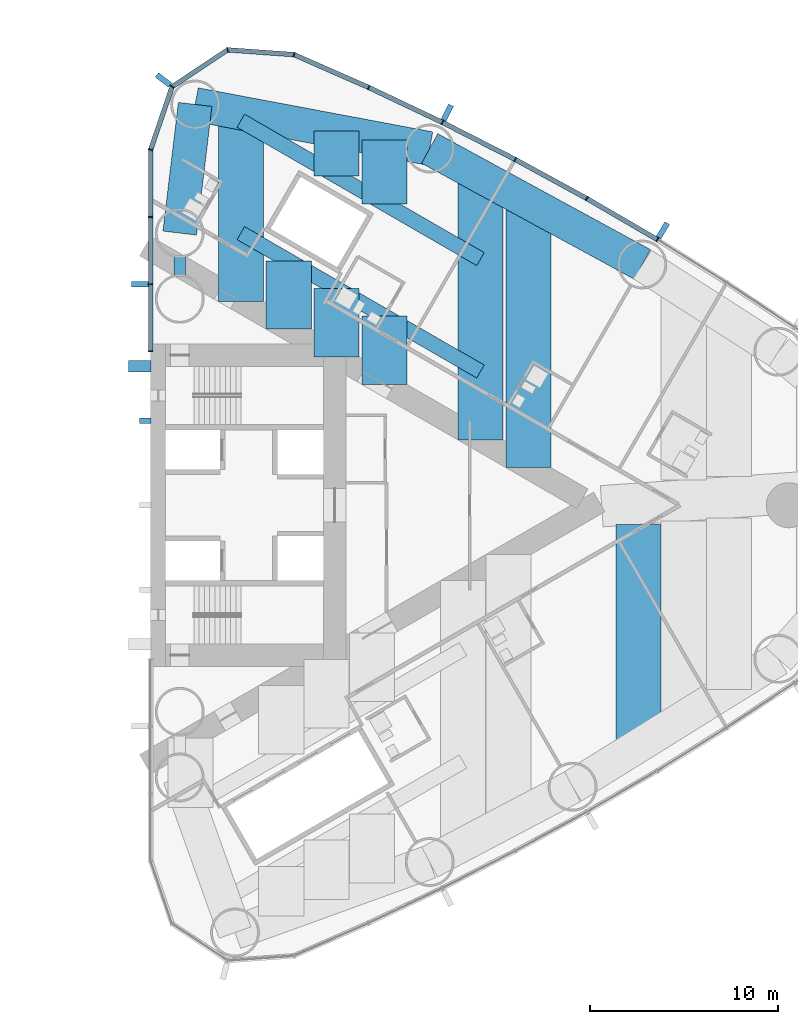
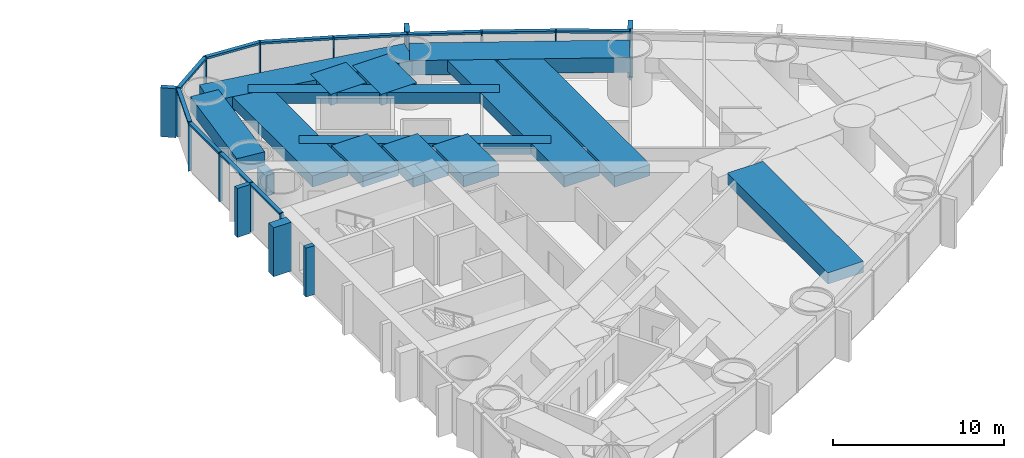
# One storey, part 7 of 18: 29 members, 15 beams, 1 element without a shape of its own.
"""IFC4 building model written with IfcOpenShell, lengths in metres."""

from ifc_helpers import new_model, si_unit, direction, frame, origin, origin_2d, place, context, subcontext, project, spatial, rectangle, hollow_rectangle, extrude, material, material_profile, profile_set, type_object, element, aggregate, save


model = new_model("IFC4")

# Units and contexts
model_context = context("Model", 3, precision=1e-05, world=origin(), true_north=direction((0.0, 1.0)))
body_context = subcontext(model_context, "Body", "Model", "MODEL_VIEW")
ifc_project = project(units=[si_unit("LENGTHUNIT", "METRE"), si_unit("AREAUNIT", "SQUARE_METRE"), si_unit("VOLUMEUNIT", "CUBIC_METRE"), si_unit("PLANEANGLEUNIT", "RADIAN"), si_unit("MASSUNIT", "GRAM", prefix="KILO")], contexts=[model_context])

# Site, building, storey
site_placement = place(None, origin())
site = spatial("IfcSite", under=ifc_project, at=site_placement, CompositionType="ELEMENT")
building_placement = place(site_placement, origin())
building = spatial("IfcBuilding", under=site, at=building_placement, Name="Lancet Gate Hotel", CompositionType="ELEMENT")
storey_placement = place(building_placement, frame((0.0, 0.0, 136.10009765625)))
storey = spatial("IfcBuildingStorey", under=building, at=storey_placement, Name="L36", CompositionType="ELEMENT", Elevation=136.10009765625)

# Curtain wall, members
ifc_material_1 = material(Name="Aluminium curtain wall", Category="aluminium")
curtain_wall_type = type_object("IfcCurtainWallType", Name="Tower unitised curtain wall", PredefinedType="USERDEFINED", material=ifc_material_1)
curtain_wall_placement = place(storey_placement, origin())
curtain_wall = element("IfcCurtainWall", 1, at=curtain_wall_placement, inside=storey, type_object=curtain_wall_type, Name="T2 L36 curtain wall 1", ObjectType="UNITISED CURTAIN WALL", PredefinedType="USERDEFINED")
ifc_material_2 = material(Name="Aluminium mullion", Category="aluminium")
ifc_material_profile_1 = material_profile(ifc_material_2, rectangle(XDim=0.06494140625, YDim=0.25, at=origin_2d()), Name="MULLION 65x250")
ifc_profile_set_1 = profile_set([ifc_material_profile_1], Name="Aluminium mullion")
member_type_1 = type_object("IfcMemberType", Name="Aluminium mullion 65x250", PredefinedType="MULLION", material=ifc_profile_set_1)
member_1_placement = place(storey_placement, frame((54.496337890625, 14.1552734375, 0.0), z_axis=(0.0, 0.0, 1.0), x_axis=(-0.856728030701, 0.515768437781, 0.0)))
member_1 = element("IfcMember", 2, at=member_1_placement, type_object=member_type_1, Name="T2 L36 curtain wall 1 mullion 23", PredefinedType="MULLION", context=body_context, shape_type="SweptSolid", body=[
    extrude(rectangle(XDim=0.06494140625, YDim=0.25, at=origin_2d()), origin(), (0.0, 0.0, 1.0), 3.5),
])
member_2_placement = place(storey_placement, frame((50.740478515625, 16.344482421875, 0.0), z_axis=(0.0, 0.0, 1.0), x_axis=(-0.871028838445, 0.491231882716, 0.0)))
member_2 = element("IfcMember", 3, at=member_2_placement, type_object=member_type_1, Name="T2 L36 curtain wall 1 mullion 24", PredefinedType="MULLION", context=body_context, shape_type="SweptSolid", body=[
    extrude(rectangle(XDim=0.06494140625, YDim=0.25, at=origin_2d()), origin(), (0.0, 0.0, 1.0), 3.5),
])
member_3_placement = place(storey_placement, frame((46.923828125, 18.426025390625, 0.0), z_axis=(0.0, 0.0, 1.0), x_axis=(-0.884627112962, 0.466299121822, 0.0)))
member_3 = element("IfcMember", 4, at=member_3_placement, type_object=member_type_1, Name="T2 L36 curtain wall 1 mullion 25", PredefinedType="MULLION", context=body_context, shape_type="SweptSolid", body=[
    extrude(rectangle(XDim=0.06494140625, YDim=0.25, at=origin_2d()), origin(), (0.0, 0.0, 1.0), 3.5),
])
member_4_placement = place(storey_placement, frame((43.0498046875, 20.398193359375, 0.0), z_axis=(0.0, 0.0, 1.0), x_axis=(-0.897511886496, 0.440990264743, 0.0)))
member_4 = element("IfcMember", 5, at=member_4_placement, type_object=member_type_1, Name="T2 L36 curtain wall 1 mullion 26", PredefinedType="MULLION", context=body_context, shape_type="SweptSolid", body=[
    extrude(rectangle(XDim=0.06494140625, YDim=0.25, at=origin_2d()), origin(), (0.0, 0.0, 1.0), 3.5),
])
member_5_placement = place(storey_placement, frame((39.12109375, 22.259765625, 0.0), z_axis=(0.0, 0.0, 1.0), x_axis=(-0.909672766767, 0.415325724465, 0.0)))
member_5 = element("IfcMember", 6, at=member_5_placement, type_object=member_type_1, Name="T2 L36 curtain wall 1 mullion 27", PredefinedType="MULLION", context=body_context, shape_type="SweptSolid", body=[
    extrude(rectangle(XDim=0.06494140625, YDim=0.25, at=origin_2d()), origin(), (0.0, 0.0, 1.0), 3.5),
])
member_6_placement = place(storey_placement, frame((35.141357421875, 24.009033203125, 0.0), z_axis=(0.0, 0.0, 1.0), x_axis=(-0.966317378791, 0.257353304711, 0.0)))
member_6 = element("IfcMember", 7, at=member_6_placement, type_object=member_type_1, Name="T2 L36 curtain wall 1 mullion 28", PredefinedType="MULLION", context=body_context, shape_type="SweptSolid", body=[
    extrude(rectangle(XDim=0.06494140625, YDim=0.25, at=origin_2d()), origin(), (0.0, 0.0, 1.0), 3.5),
])
member_7_placement = place(storey_placement, frame((31.60205078125, 24.26220703125, 0.0), z_axis=(0.0, 0.0, 1.0), x_axis=(-0.967157174963, -0.254179068604, 0.0)))
member_7 = element("IfcMember", 8, at=member_7_placement, type_object=member_type_1, Name="T2 L36 curtain wall 1 mullion 29", PredefinedType="MULLION", context=body_context, shape_type="SweptSolid", body=[
    extrude(rectangle(XDim=0.06494140625, YDim=0.25, at=origin_2d()), origin(), (0.0, 0.0, 1.0), 3.5),
])
member_8_placement = place(storey_placement, frame((28.64453125, 22.301513671875, 0.0), z_axis=(0.0, 0.0, 1.0), x_axis=(-0.610663954798, -0.79188984986, 0.0)))
member_8 = element("IfcMember", 9, at=member_8_placement, type_object=member_type_1, Name="T2 L36 curtain wall 1 mullion 30", PredefinedType="MULLION", context=body_context, shape_type="SweptSolid", body=[
    extrude(rectangle(XDim=0.06494140625, YDim=0.25, at=origin_2d()), origin(), (0.0, 0.0, 1.0), 3.5),
])
member_9_placement = place(storey_placement, frame((27.5, 18.94287109375, 0.0), z_axis=(0.0, 0.0, 1.0), x_axis=(-0.162738742557, -0.986669195663, 0.0)))
member_9 = element("IfcMember", 10, at=member_9_placement, type_object=member_type_1, Name="T2 L36 curtain wall 1 mullion 31", PredefinedType="MULLION", context=body_context, shape_type="SweptSolid", body=[
    extrude(rectangle(XDim=0.06494140625, YDim=0.25, at=origin_2d()), origin(), (0.0, 0.0, 1.0), 3.5),
])
member_10_placement = place(storey_placement, frame((27.5, 15.362060546875, 0.0), z_axis=(0.0, 0.0, 1.0), x_axis=(0.0, -1.0, 0.0)))
member_10 = element("IfcMember", 11, at=member_10_placement, type_object=member_type_1, Name="T2 L36 curtain wall 1 mullion 32", PredefinedType="MULLION", context=body_context, shape_type="SweptSolid", body=[
    extrude(rectangle(XDim=0.06494140625, YDim=0.25, at=origin_2d()), origin(), (0.0, 0.0, 1.0), 3.5),
])
member_11_placement = place(storey_placement, frame((27.5, 11.781005859375, 0.0), z_axis=(0.0, 0.0, 1.0), x_axis=(0.0, -1.0, 0.0)))
member_11 = element("IfcMember", 12, at=member_11_placement, type_object=member_type_1, Name="T2 L36 curtain wall 1 mullion 33", PredefinedType="MULLION", context=body_context, shape_type="SweptSolid", body=[
    extrude(rectangle(XDim=0.06494140625, YDim=0.25, at=origin_2d()), origin(), (0.0, 0.0, 1.0), 3.5),
])
member_12_placement = place(storey_placement, frame((27.5, 8.199951171875, 0.0), z_axis=(0.0, 0.0, 1.0), x_axis=(0.0, -1.0, 0.0)))
member_12 = element("IfcMember", 13, at=member_12_placement, type_object=member_type_1, Name="T2 L36 curtain wall 1 mullion 34", PredefinedType="MULLION", context=body_context, shape_type="SweptSolid", body=[
    extrude(rectangle(XDim=0.06494140625, YDim=0.25, at=origin_2d()), origin(), (0.0, 0.0, 1.0), 3.5),
])
ifc_material_3 = material(Name="Aluminium transom", Category="aluminium")
ifc_material_profile_2 = material_profile(ifc_material_3, rectangle(XDim=0.25, YDim=0.14990234375, at=origin_2d()), Name="TRANSOM 250x150")
ifc_profile_set_2 = profile_set([ifc_material_profile_2], Name="Aluminium transom")
member_type_2 = type_object("IfcMemberType", Name="Aluminium transom 250x150", PredefinedType="USERDEFINED", material=ifc_profile_set_2)
member_13_placement = place(storey_placement, frame((54.46826171875, 14.171630859375, 3.4248046875), z_axis=(-0.863973212152, 0.503537772847, 0.0), x_axis=(-0.503537772847, -0.863973212152, 0.0)))
member_13 = element("IfcMember", 14, at=member_13_placement, type_object=member_type_2, Name="T2 L36 curtain wall 1 transom 23", ObjectType="TRANSOM", PredefinedType="USERDEFINED", context=body_context, shape_type="SweptSolid", body=[
    extrude(rectangle(XDim=0.25, YDim=0.14990234375, at=origin_2d()), origin(), (0.0, 0.0, 1.0), 4.2822265625),
])
member_14_placement = place(storey_placement, frame((50.7119140625, 16.35986328125, 3.4248046875), z_axis=(-0.877906466435, 0.478832158685, 0.0), x_axis=(-0.478832158685, -0.877906466435, 0.0)))
member_14 = element("IfcMember", 15, at=member_14_placement, type_object=member_type_2, Name="T2 L36 curtain wall 1 transom 24", ObjectType="TRANSOM", PredefinedType="USERDEFINED", context=body_context, shape_type="SweptSolid", body=[
    extrude(rectangle(XDim=0.25, YDim=0.14990234375, at=origin_2d()), origin(), (0.0, 0.0, 1.0), 4.282470703125),
])
member_15_placement = place(storey_placement, frame((46.89501953125, 18.440673828125, 3.4248046875), z_axis=(-0.891165630033, 0.453678101574, 0.0), x_axis=(-0.453678101574, -0.891165630033, 0.0)))
member_15 = element("IfcMember", 16, at=member_15_placement, type_object=member_type_2, Name="T2 L36 curtain wall 1 transom 25", ObjectType="TRANSOM", PredefinedType="USERDEFINED", context=body_context, shape_type="SweptSolid", body=[
    extrude(rectangle(XDim=0.25, YDim=0.14990234375, at=origin_2d()), origin(), (0.0, 0.0, 1.0), 4.282470703125),
])
member_16_placement = place(storey_placement, frame((43.0205078125, 20.412109375, 3.4248046875), z_axis=(-0.903679787814, 0.428208875546, 0.0), x_axis=(-0.428208875546, -0.903679787814, 0.0)))
member_16 = element("IfcMember", 17, at=member_16_placement, type_object=member_type_2, Name="T2 L36 curtain wall 1 transom 26", ObjectType="TRANSOM", PredefinedType="USERDEFINED", context=body_context, shape_type="SweptSolid", body=[
    extrude(rectangle(XDim=0.25, YDim=0.14990234375, at=origin_2d()), origin(), (0.0, 0.0, 1.0), 4.282470703125),
])
member_17_placement = place(storey_placement, frame((39.09130859375, 22.27294921875, 3.4248046875), z_axis=(-0.915484772266, 0.402352621155, 0.0), x_axis=(-0.402352621155, -0.915484772266, 0.0)))
member_17 = element("IfcMember", 18, at=member_17_placement, type_object=member_type_2, Name="T2 L36 curtain wall 1 transom 27", ObjectType="TRANSOM", PredefinedType="USERDEFINED", context=body_context, shape_type="SweptSolid", body=[
    extrude(rectangle(XDim=0.25, YDim=0.14990234375, at=origin_2d()), origin(), (0.0, 0.0, 1.0), 4.281982421875),
])
member_18_placement = place(storey_placement, frame((35.10888671875, 24.01123046875, 3.4248046875), z_axis=(-0.997446232115, 0.071421383636, 0.0), x_axis=(-0.071421383636, -0.997446232115, 0.0)))
member_18 = element("IfcMember", 19, at=member_18_placement, type_object=member_type_2, Name="T2 L36 curtain wall 1 transom 28", ObjectType="TRANSOM", PredefinedType="USERDEFINED", context=body_context, shape_type="SweptSolid", body=[
    extrude(rectangle(XDim=0.25, YDim=0.14990234375, at=origin_2d()), origin(), (0.0, 0.0, 1.0), 3.483154296875),
])
member_19_placement = place(storey_placement, frame((31.574951171875, 24.244384765625, 3.4248046875), z_axis=(-0.833470854141, -0.552563421968, 0.0), x_axis=(0.552563421968, -0.833470854141, 0.0)))
member_19 = element("IfcMember", 20, at=member_19_placement, type_object=member_type_2, Name="T2 L36 curtain wall 1 transom 29", ObjectType="TRANSOM", PredefinedType="USERDEFINED", context=body_context, shape_type="SweptSolid", body=[
    extrude(rectangle(XDim=0.25, YDim=0.14990234375, at=origin_2d()), origin(), (0.0, 0.0, 1.0), 3.4833984375),
])
member_20_placement = place(storey_placement, frame((28.634033203125, 22.270751953125, 3.4248046875), z_axis=(-0.322549769135, -0.946552505903, 0.0), x_axis=(0.946552505903, -0.322549769135, 0.0)))
member_20 = element("IfcMember", 21, at=member_20_placement, type_object=member_type_2, Name="T2 L36 curtain wall 1 transom 30", ObjectType="TRANSOM", PredefinedType="USERDEFINED", context=body_context, shape_type="SweptSolid", body=[
    extrude(rectangle(XDim=0.25, YDim=0.14990234375, at=origin_2d()), origin(), (0.0, 0.0, 1.0), 3.4833984375),
])
member_21_placement = place(storey_placement, frame((27.5, 18.910400390625, 3.4248046875), z_axis=(0.0, -1.0, 0.0), x_axis=(1.0, 0.0, 0.0)))
member_21 = element("IfcMember", 22, at=member_21_placement, type_object=member_type_2, Name="T2 L36 curtain wall 1 transom 31", ObjectType="TRANSOM", PredefinedType="USERDEFINED", context=body_context, shape_type="SweptSolid", body=[
    extrude(rectangle(XDim=0.25, YDim=0.14990234375, at=origin_2d()), origin(), (0.0, 0.0, 1.0), 3.515869140625),
])
member_22_placement = place(storey_placement, frame((27.5, 15.329345703125, 3.4248046875), z_axis=(0.0, -1.0, 0.0), x_axis=(1.0, 0.0, 0.0)))
member_22 = element("IfcMember", 23, at=member_22_placement, type_object=member_type_2, Name="T2 L36 curtain wall 1 transom 32", ObjectType="TRANSOM", PredefinedType="USERDEFINED", context=body_context, shape_type="SweptSolid", body=[
    extrude(rectangle(XDim=0.25, YDim=0.14990234375, at=origin_2d()), origin(), (0.0, 0.0, 1.0), 3.515869140625),
])
member_23_placement = place(storey_placement, frame((27.5, 11.74853515625, 3.4248046875), z_axis=(0.0, -1.0, 0.0), x_axis=(1.0, 0.0, 0.0)))
member_23 = element("IfcMember", 24, at=member_23_placement, type_object=member_type_2, Name="T2 L36 curtain wall 1 transom 33", ObjectType="TRANSOM", PredefinedType="USERDEFINED", context=body_context, shape_type="SweptSolid", body=[
    extrude(rectangle(XDim=0.25, YDim=0.14990234375, at=origin_2d()), origin(), (0.0, 0.0, 1.0), 3.51611328125),
])

# Beams
ifc_material_4 = material(Name="Concrete C50/60", Category="concrete")
ifc_material_profile_3 = material_profile(ifc_material_4, rectangle(XDim=1.800048828125, YDim=1.050048828125, at=origin_2d()), Name="RC 1800x1050")
ifc_profile_set_3 = profile_set([ifc_material_profile_3], Name="Concrete C50/60")
beam_type_1 = type_object("IfcBeamType", Name="Edge beam RC 1800x1050", PredefinedType="SPANDREL", material=ifc_profile_set_3)
beam_1_placement = place(storey_placement, frame((53.697021484375, 12.827392578125, 2.724853515625), z_axis=(-0.87792015078, 0.478807068509, 0.0), x_axis=(-0.478807068509, -0.87792015078, 0.0)))
element("IfcBeam", 25, at=beam_1_placement, inside=storey, type_object=beam_type_1, Name="T2 edge beam EB1 L36", PredefinedType="SPANDREL", context=body_context, shape_type="SweptSolid", body=[
    extrude(rectangle(XDim=1.800048828125, YDim=1.050048828125, at=origin_2d()), origin(), (0.0, 0.0, 1.0), 12.906494140625),
])
beam_2_placement = place(storey_placement, frame((42.3662109375, 19.007080078125, 2.724853515625), z_axis=(-0.982797318081, 0.184687388776, 0.0), x_axis=(-0.184687388776, -0.982797318081, 0.0)))
element("IfcBeam", 26, at=beam_2_placement, inside=storey, type_object=beam_type_1, Name="T2 edge beam EB1 L36", PredefinedType="SPANDREL", context=body_context, shape_type="SweptSolid", body=[
    extrude(rectangle(XDim=1.800048828125, YDim=1.050048828125, at=origin_2d()), origin(), (0.0, 0.0, 1.0), 12.712890625),
])
beam_3_placement = place(storey_placement, frame((29.050048828125, 14.5, 2.724853515625), z_axis=(0.119062951196, 0.99288670736, 0.0), x_axis=(-0.99288670736, 0.119062951196, 0.0)))
element("IfcBeam", 27, at=beam_3_placement, inside=storey, type_object=beam_type_1, Name="T2 edge beam EB1 L36", PredefinedType="SPANDREL", context=body_context, shape_type="SweptSolid", body=[
    extrude(rectangle(XDim=1.800048828125, YDim=1.050048828125, at=origin_2d()), origin(), (0.0, 0.0, 1.0), 6.904052734375),
])

# Member
ifc_material_5 = material(Name="Concrete C60/75", Category="concrete")
ifc_material_profile_4 = material_profile(ifc_material_5, rectangle(XDim=0.60009765625, YDim=1.199951171875, at=origin_2d()), Name="FIN 600x1200")
ifc_profile_set_4 = profile_set([ifc_material_profile_4], Name="Concrete C60/75")
member_type_3 = type_object("IfcMemberType", Name="Exposed concrete buttress pilaster 600x1200", PredefinedType="USERDEFINED", material=ifc_profile_set_4)
member_24_placement = place(storey_placement, frame((26.909912109375, 7.39990234375, 0.0), z_axis=(0.0, 0.0, 1.0), x_axis=(0.0, 1.0, 0.0)))
element("IfcMember", 28, at=member_24_placement, inside=storey, type_object=member_type_3, Name="T2 buttress pilaster N L36", ObjectType="FIN", PredefinedType="USERDEFINED", context=body_context, shape_type="SweptSolid", body=[
    extrude(rectangle(XDim=0.60009765625, YDim=1.199951171875, at=origin_2d()), origin(), (0.0, 0.0, 1.0), 3.5),
])

ifc_material_6 = material(Name="Precast concrete C50/60", Category="concrete")
ifc_material_profile_5 = material_profile(ifc_material_6, rectangle(XDim=0.300048828125, YDim=0.89990234375, at=origin_2d()), Name="FIN 300x900")
ifc_profile_set_5 = profile_set([ifc_material_profile_5], Name="Precast concrete C50/60")
member_type_4 = type_object("IfcMemberType", Name="Exposed concrete fin 300x900", PredefinedType="USERDEFINED", material=ifc_profile_set_5)
member_25_placement = place(storey_placement, frame((54.79296875, 14.64794921875, 0.0), z_axis=(0.0, 0.0, 1.0), x_axis=(-0.856728030701, 0.515768437781, 0.0)))
member_25 = element("IfcMember", 29, at=member_25_placement, type_object=member_type_4, Name="T2 L36 curtain wall 1 fin 23", ObjectType="FIN", PredefinedType="USERDEFINED", context=body_context, shape_type="SweptSolid", body=[
    extrude(rectangle(XDim=0.300048828125, YDim=0.89990234375, at=origin_2d()), origin(), (0.0, 0.0, 1.0), 3.5),
])

member_26_placement = place(storey_placement, frame((43.30322265625, 20.914306640625, 0.0), z_axis=(0.0, 0.0, 1.0), x_axis=(-0.897511886496, 0.440990264743, 0.0)))
member_26 = element("IfcMember", 30, at=member_26_placement, type_object=member_type_4, Name="T2 L36 curtain wall 1 fin 26", ObjectType="FIN", PredefinedType="USERDEFINED", context=body_context, shape_type="SweptSolid", body=[
    extrude(rectangle(XDim=0.300048828125, YDim=0.89990234375, at=origin_2d()), origin(), (0.0, 0.0, 1.0), 3.5),
])

member_27_placement = place(storey_placement, frame((28.189208984375, 22.65283203125, 0.0), z_axis=(0.0, 0.0, 1.0), x_axis=(-0.610663954798, -0.79188984986, 0.0)))
member_27 = element("IfcMember", 31, at=member_27_placement, type_object=member_type_4, Name="T2 L36 curtain wall 1 fin 30", ObjectType="FIN", PredefinedType="USERDEFINED", context=body_context, shape_type="SweptSolid", body=[
    extrude(rectangle(XDim=0.300048828125, YDim=0.89990234375, at=origin_2d()), origin(), (0.0, 0.0, 1.0), 3.5),
])

member_28_placement = place(storey_placement, frame((26.925048828125, 11.781005859375, 0.0), z_axis=(0.0, 0.0, 1.0), x_axis=(0.0, -1.0, 0.0)))
member_28 = element("IfcMember", 32, at=member_28_placement, type_object=member_type_4, Name="T2 L36 curtain wall 1 fin 33", ObjectType="FIN", PredefinedType="USERDEFINED", context=body_context, shape_type="SweptSolid", body=[
    extrude(rectangle(XDim=0.300048828125, YDim=0.89990234375, at=origin_2d()), origin(), (0.0, 0.0, 1.0), 3.5),
])

aggregate(curtain_wall, [member_1, member_25, member_2, member_3, member_4, member_26, member_5, member_6, member_7, member_8, member_27, member_9, member_10, member_11, member_28, member_12, member_13, member_14, member_15, member_16, member_17, member_18, member_19, member_20, member_21, member_22, member_23])

ifc_material_7 = material(Name="Concrete C60/75", Category="concrete")
ifc_material_profile_6 = material_profile(ifc_material_7, rectangle(XDim=0.300048828125, YDim=0.60009765625, at=origin_2d()), Name="FIN 300x600")
ifc_profile_set_6 = profile_set([ifc_material_profile_6], Name="Concrete C60/75")
member_type_5 = type_object("IfcMemberType", Name="Exposed concrete rib 300x600", PredefinedType="USERDEFINED", material=ifc_profile_set_6)
member_29_placement = place(storey_placement, frame((27.2099609375, 4.5, 0.0), z_axis=(0.0, 0.0, 1.0), x_axis=(0.0, 1.0, 0.0)))
element("IfcMember", 33, at=member_29_placement, inside=storey, type_object=member_type_5, Name="T2 core rib 3 L36", ObjectType="FIN", PredefinedType="USERDEFINED", context=body_context, shape_type="SweptSolid", body=[
    extrude(rectangle(XDim=0.300048828125, YDim=0.60009765625, at=origin_2d()), origin(), (0.0, 0.0, 1.0), 3.5),
])

# Beams
ifc_material_8 = material(Name="Concrete C50/60", Category="concrete")
ifc_material_profile_7 = material_profile(ifc_material_8, rectangle(XDim=2.39990234375, YDim=0.800048828125, at=origin_2d()), Name="RC 2400x800")
ifc_profile_set_7 = profile_set([ifc_material_profile_7], Name="Concrete C50/60")
beam_type_2 = type_object("IfcBeamType", Name="Floor beam RC 2400x800", PredefinedType="BEAM", material=ifc_profile_set_7)
beam_4_placement = place(storey_placement, frame((32.306396484375, 10.851806640625, 2.849853515625), z_axis=(0.0, 1.0, 0.0), x_axis=(-1.0, 0.0, 0.0)))
element("IfcBeam", 34, at=beam_4_placement, inside=storey, type_object=beam_type_2, Name="T2 floor beam F02N L36", PredefinedType="BEAM", context=body_context, shape_type="SweptSolid", body=[
    extrude(rectangle(XDim=2.39990234375, YDim=0.800048828125, at=origin_2d()), origin(), (0.0, 0.0, 1.0), 10.0458984375),
])
beam_5_placement = place(storey_placement, frame((45.072265625, 3.4814453125, 2.849853515625), z_axis=(0.0, 1.0, 0.0), x_axis=(-1.0, 0.0, 0.0)))
element("IfcBeam", 35, at=beam_5_placement, inside=storey, type_object=beam_type_2, Name="T2 floor beam F10N L36", PredefinedType="BEAM", context=body_context, shape_type="SweptSolid", body=[
    extrude(rectangle(XDim=2.39990234375, YDim=0.800048828125, at=origin_2d()), origin(), (0.0, 0.0, 1.0), 14.0498046875),
])
beam_6_placement = place(storey_placement, frame((47.62548828125, 2.00732421875, 2.849853515625), z_axis=(0.0, 1.0, 0.0), x_axis=(-1.0, 0.0, 0.0)))
element("IfcBeam", 36, at=beam_6_placement, inside=storey, type_object=beam_type_2, Name="T2 floor beam F12N L36", PredefinedType="BEAM", context=body_context, shape_type="SweptSolid", body=[
    extrude(rectangle(XDim=2.39990234375, YDim=0.800048828125, at=origin_2d()), origin(), (0.0, 0.0, 1.0), 14.13134765625),
])
beam_7_placement = place(storey_placement, frame((53.502197265625, -12.804443359375, 2.849853515625), z_axis=(0.0, 1.0, 0.0), x_axis=(-1.0, 0.0, 0.0)))
element("IfcBeam", 37, at=beam_7_placement, inside=storey, type_object=beam_type_2, Name="T2 floor beam F13S L36", PredefinedType="BEAM", context=body_context, shape_type="SweptSolid", body=[
    extrude(rectangle(XDim=2.39990234375, YDim=0.800048828125, at=origin_2d()), origin(), (0.0, 0.0, 1.0), 11.78564453125),
])
beam_8_placement = place(storey_placement, frame((34.859619140625, 9.377685546875, 2.849853515625), z_axis=(0.0, 1.0, 0.0), x_axis=(-1.0, 0.0, 0.0)))
element("IfcBeam", 38, at=beam_8_placement, inside=storey, type_object=beam_type_2, Name="T2 floor beam F04NA L36", PredefinedType="BEAM", context=body_context, shape_type="SweptSolid", body=[
    extrude(rectangle(XDim=2.39990234375, YDim=0.800048828125, at=origin_2d()), origin(), (0.0, 0.0, 1.0), 3.645751953125),
])
beam_9_placement = place(storey_placement, frame((37.412841796875, 7.903564453125, 2.849853515625), z_axis=(0.0, 1.0, 0.0), x_axis=(-1.0, 0.0, 0.0)))
element("IfcBeam", 39, at=beam_9_placement, inside=storey, type_object=beam_type_2, Name="T2 floor beam F06NA L36", PredefinedType="BEAM", context=body_context, shape_type="SweptSolid", body=[
    extrude(rectangle(XDim=2.39990234375, YDim=0.800048828125, at=origin_2d()), origin(), (0.0, 0.0, 1.0), 3.6455078125),
])
beam_10_placement = place(storey_placement, frame((37.412841796875, 17.537109375, 2.849853515625), z_axis=(0.0, 1.0, 0.0), x_axis=(-1.0, 0.0, 0.0)))
element("IfcBeam", 40, at=beam_10_placement, inside=storey, type_object=beam_type_2, Name="T2 floor beam F06NB L36", PredefinedType="BEAM", context=body_context, shape_type="SweptSolid", body=[
    extrude(rectangle(XDim=2.39990234375, YDim=0.800048828125, at=origin_2d()), origin(), (0.0, 0.0, 1.0), 2.40087890625),
])
beam_11_placement = place(storey_placement, frame((39.9658203125, 6.429443359375, 2.849853515625), z_axis=(0.0, 1.0, 0.0), x_axis=(-1.0, 0.0, 0.0)))
element("IfcBeam", 41, at=beam_11_placement, inside=storey, type_object=beam_type_2, Name="T2 floor beam F08NA L36", PredefinedType="BEAM", context=body_context, shape_type="SweptSolid", body=[
    extrude(rectangle(XDim=2.39990234375, YDim=0.800048828125, at=origin_2d()), origin(), (0.0, 0.0, 1.0), 3.64501953125),
])
beam_12_placement = place(storey_placement, frame((39.9658203125, 16.062744140625, 2.849853515625), z_axis=(0.0, 1.0, 0.0), x_axis=(-1.0, 0.0, 0.0)))
element("IfcBeam", 42, at=beam_12_placement, inside=storey, type_object=beam_type_2, Name="T2 floor beam F08NB L36", PredefinedType="BEAM", context=body_context, shape_type="SweptSolid", body=[
    extrude(rectangle(XDim=2.39990234375, YDim=0.800048828125, at=origin_2d()), origin(), (0.0, 0.0, 1.0), 3.3955078125),
])
ifc_material_9 = material(Name="Steel S460QL", Category="steel")
ifc_material_profile_8 = material_profile(ifc_material_9, hollow_rectangle(XDim=0.60009765625, YDim=1.5, WallThickness=0.050048828125, at=origin_2d()), Name="BOX 1500x600x50")
ifc_profile_set_8 = profile_set([ifc_material_profile_8], Name="Steel S460QL")
beam_type_3 = type_object("IfcBeamType", Name="Inner-face link beam BOX 1500x600x50", PredefinedType="BEAM", material=ifc_profile_set_8)
beam_13_placement = place(storey_placement, frame((29.050048828125, 12.25, 2.5), z_axis=(0.0, 1.0, 0.0), x_axis=(-1.0, 0.0, 0.0)))
element("IfcBeam", 43, at=beam_13_placement, inside=storey, type_object=beam_type_3, Name="T2 inner-face link beam LK1 L36", PredefinedType="BEAM", context=body_context, shape_type="SweptSolid", body=[
    extrude(hollow_rectangle(XDim=0.60009765625, YDim=1.5, WallThickness=0.050048828125, at=origin_2d()), origin(), (0.0, 0.0, 1.0), 1.0),
])
ifc_material_10 = material(Name="Steel S460QL", Category="steel")
ifc_material_profile_9 = material_profile(ifc_material_10, hollow_rectangle(XDim=0.800048828125, YDim=0.800048828125, WallThickness=0.080078125, at=origin_2d()), Name="BOX 800x800x80")
ifc_profile_set_9 = profile_set([ifc_material_profile_9], Name="Steel S460QL")
beam_type_4 = type_object("IfcBeamType", Name="Trimmer beam BOX 800x800x80", PredefinedType="BEAM", material=ifc_profile_set_9)
beam_14_placement = place(storey_placement, frame((32.306396484375, 20.48583984375, 2.849853515625), z_axis=(0.86598286195, -0.500073677381, 0.0), x_axis=(0.500073677381, 0.86598286195, 0.0)))
element("IfcBeam", 44, at=beam_14_placement, inside=storey, type_object=beam_type_4, Name="T2 trimmer beam TR03N L36", PredefinedType="BEAM", context=body_context, shape_type="SweptSolid", body=[
    extrude(hollow_rectangle(XDim=0.800048828125, YDim=0.800048828125, WallThickness=0.080078125, at=origin_2d()), origin(), (0.0, 0.0, 1.0), 14.741455078125),
])
beam_15_placement = place(storey_placement, frame((32.306396484375, 14.497802734375, 2.849853515625), z_axis=(0.865975689888, -0.500086097111, 0.0), x_axis=(0.500086097111, 0.865975689888, 0.0)))
element("IfcBeam", 45, at=beam_15_placement, inside=storey, type_object=beam_type_4, Name="T2 trimmer beam TR04N L36", PredefinedType="BEAM", context=body_context, shape_type="SweptSolid", body=[
    extrude(hollow_rectangle(XDim=0.800048828125, YDim=0.800048828125, WallThickness=0.080078125, at=origin_2d()), origin(), (0.0, 0.0, 1.0), 14.74169921875),
])

save(model, "model.ifc")
